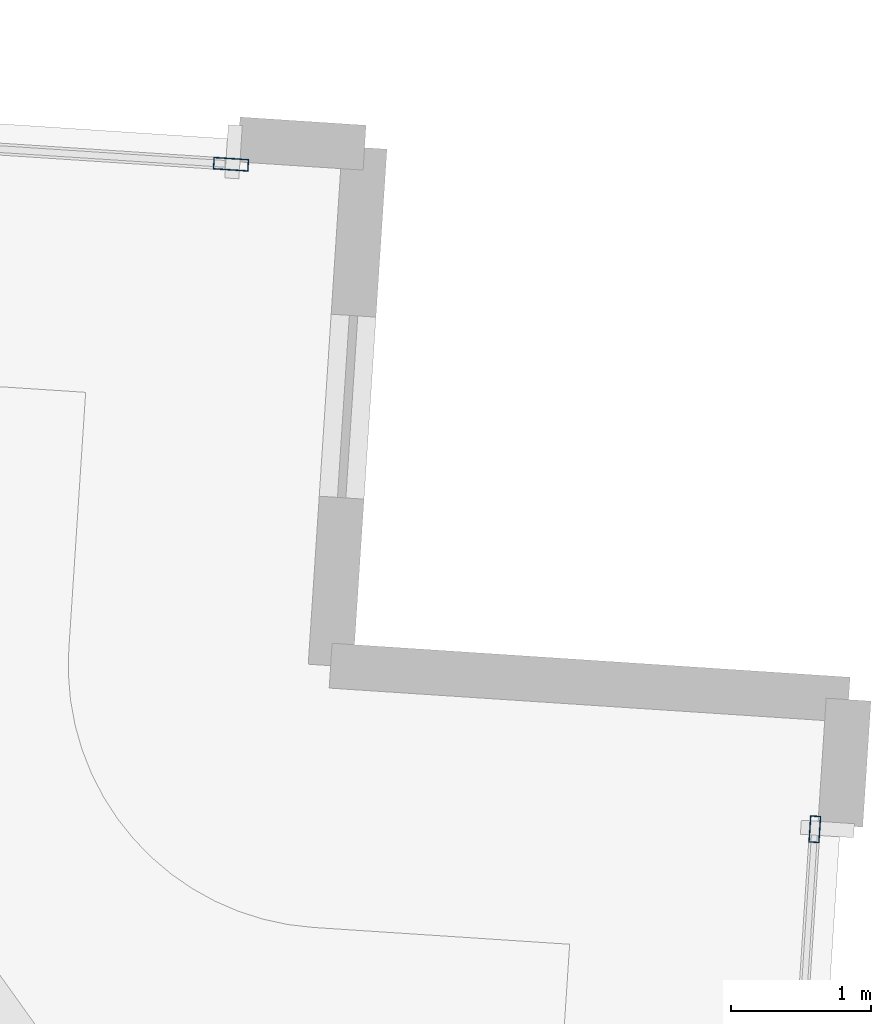
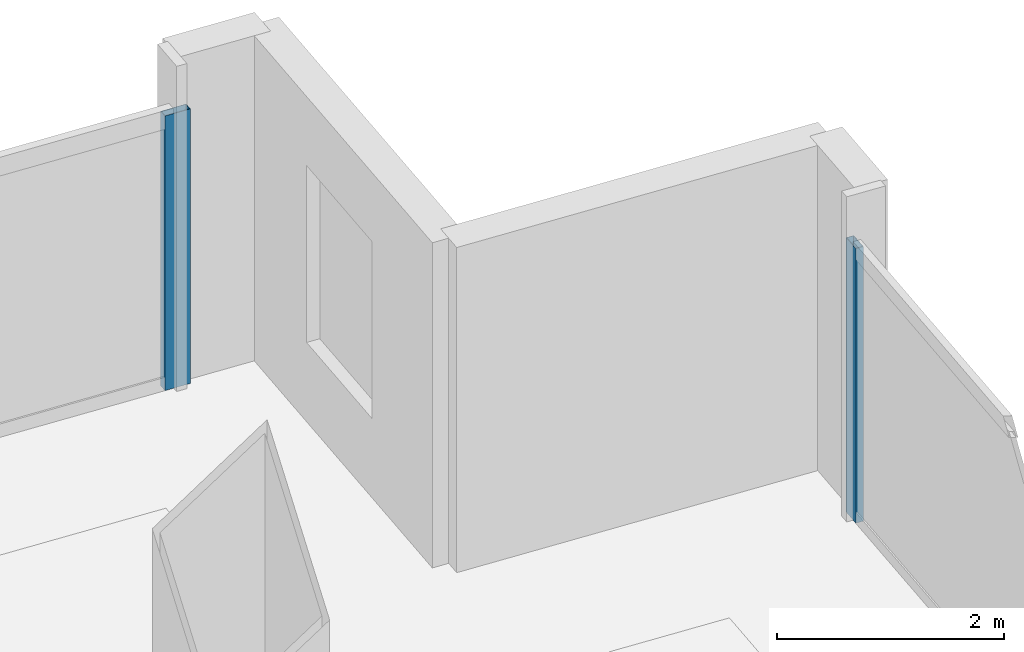
# One storey, part 16 of 24: 2 members, 2 elements without a shape of their own.
"""IFC4 building model written with IfcOpenShell, lengths in metres."""

from ifc_helpers import new_model, si_unit, direction, frame, origin, origin_2d, place, context, subcontext, project, spatial, hollow_rectangle, extrude, material, material_profile, profile_set, type_object, element, aggregate, save


model = new_model("IFC4")

# Units and contexts
model_context = context("Model", 3, precision=1e-05, world=origin(), true_north=direction((0.0, 1.0)))
body_context = subcontext(model_context, "Body", "Model", "MODEL_VIEW")
ifc_project = project(units=[si_unit("LENGTHUNIT", "METRE"), si_unit("AREAUNIT", "SQUARE_METRE"), si_unit("VOLUMEUNIT", "CUBIC_METRE"), si_unit("PLANEANGLEUNIT", "RADIAN"), si_unit("MASSUNIT", "GRAM", prefix="KILO")], contexts=[model_context])

# Site, building, storey
site_placement = place(None, origin())
site = spatial("IfcSite", under=ifc_project, at=site_placement, CompositionType="ELEMENT")
building_placement = place(site_placement, origin())
building = spatial("IfcBuilding", under=site, at=building_placement, Name="Haldenkirk Collegiate Tower", CompositionType="ELEMENT")
storey_placement = place(building_placement, frame((0.0, 0.0, 317.699951171875)))
storey = spatial("IfcBuildingStorey", under=building, at=storey_placement, Name="L80", CompositionType="ELEMENT", Elevation=317.699951171875)

# Curtain wall, member
ifc_material = material(Name="Anodised architectural bronze aluminium", Category="aluminium")
curtain_wall_type_1 = type_object("IfcCurtainWallType", Name="CW-SYS2-CONCAVE", PredefinedType="USERDEFINED", material=ifc_material)
curtain_wall_1_placement = place(storey_placement, origin())
curtain_wall_1 = element("IfcCurtainWall", 1, at=curtain_wall_1_placement, inside=storey, type_object=curtain_wall_type_1, Name="L80 South concave recessed bronze-anodised curtain wall", ObjectType="UNITISED CURTAIN WALL", PredefinedType="USERDEFINED")
ifc_material_profile_1 = material_profile(ifc_material, hollow_rectangle(XDim=0.074951171875, YDim=0.18994140625, WallThickness=0.0048828125, at=origin_2d()), Name="CW-MUL-02")
ifc_profile_set_1 = profile_set([ifc_material_profile_1], Name="Anodised architectural bronze aluminium")
member_type_1 = type_object("IfcMemberType", Name="CW-MUL-02", PredefinedType="MULLION", material=ifc_profile_set_1)
member_1_placement = place(storey_placement, frame((59.24755859375, 42.477294921875, 0.0), z_axis=(0.0, 0.0, 1.0), x_axis=(0.99785893177, -0.065402999064, 0.0)))
member_1 = element("IfcMember", 2, at=member_1_placement, type_object=member_type_1, Name="CW-02 mullion 1", PredefinedType="MULLION", context=body_context, shape_type="SweptSolid", body=[
    extrude(hollow_rectangle(XDim=0.074951171875, YDim=0.18994140625, WallThickness=0.0048828125, at=origin_2d()), origin(), (0.0, 0.0, 1.0), 2.947998046875),
])
aggregate(curtain_wall_1, [member_1])

curtain_wall_type_2 = type_object("IfcCurtainWallType", Name="CW-SYS1B-CONVEX-HI", PredefinedType="USERDEFINED", material=ifc_material)
curtain_wall_2_placement = place(storey_placement, origin())
curtain_wall_2 = element("IfcCurtainWall", 3, at=curtain_wall_2_placement, inside=storey, type_object=curtain_wall_type_2, Name="L80 Upper tower high-wind convex bronze unitised curtain wall", ObjectType="UNITISED CURTAIN WALL", PredefinedType="USERDEFINED")
ifc_material_profile_2 = material_profile(ifc_material, hollow_rectangle(XDim=0.0849609375, YDim=0.25, WallThickness=0.0048828125, at=origin_2d()), Name="CW-MUL-1B")
ifc_profile_set_2 = profile_set([ifc_material_profile_2], Name="Anodised architectural bronze aluminium")
member_type_2 = type_object("IfcMemberType", Name="CW-MUL-1B", PredefinedType="MULLION", material=ifc_profile_set_2)
member_2_placement = place(storey_placement, frame((55.0859375, 47.21728515625, 0.0), z_axis=(0.0, 0.0, 1.0), x_axis=(0.065401149336, 0.997859053006, 0.0)))
member_2 = element("IfcMember", 4, at=member_2_placement, type_object=member_type_2, Name="CW-1B mullion 4", PredefinedType="MULLION", context=body_context, shape_type="SweptSolid", body=[
    extrude(hollow_rectangle(XDim=0.0849609375, YDim=0.25, WallThickness=0.0048828125, at=origin_2d()), origin(), (0.0, 0.0, 1.0), 2.947998046875),
])
aggregate(curtain_wall_2, [member_2])

save(model, "model.ifc")
